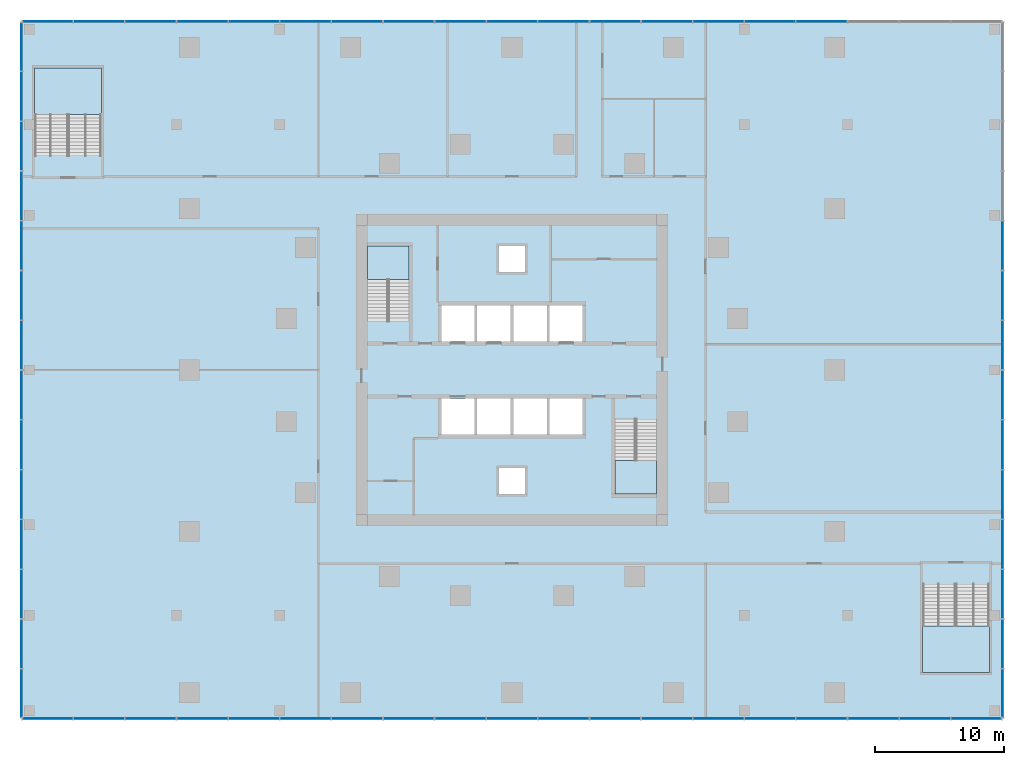
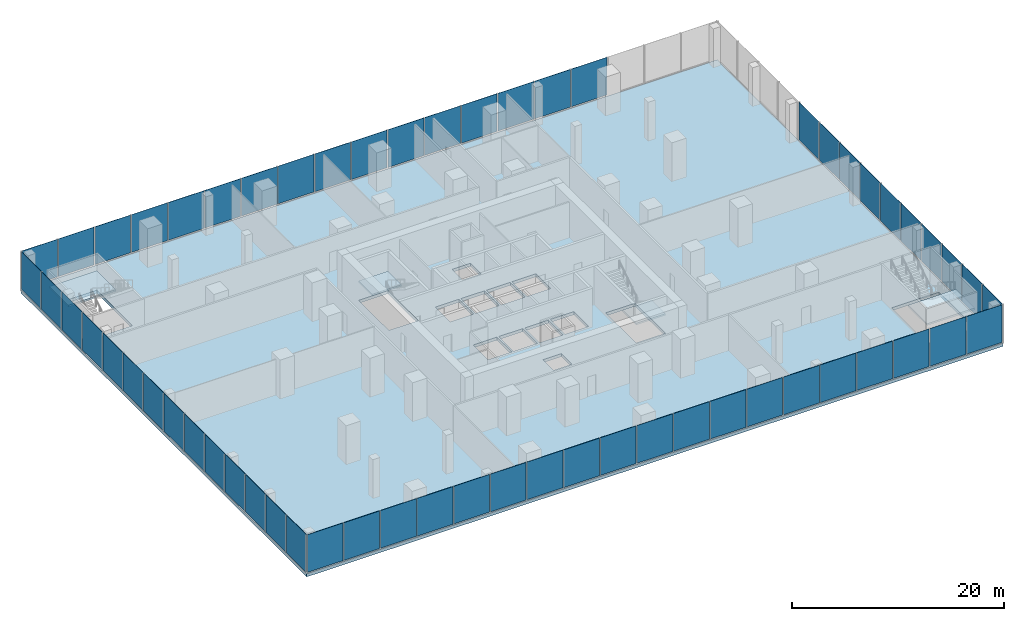
# One storey, part 8 of 15: 59 plates, 5 slabs, 8 elements without a shape of their own.
"""IFC4 building model written with IfcOpenShell, lengths in metres."""

from ifc_helpers import new_model, si_unit, direction, frame, origin, origin_2d, place, context, subcontext, project, spatial, polyline, rectangle, outline, extrude, material, layer, layer_set, type_object, element, aggregate, save


model = new_model("IFC4")

# Units and contexts
model_context = context("Model", 3, precision=1e-05, world=origin(), true_north=direction((0.0, 1.0)))
body_context = subcontext(model_context, "Body", "Model", "MODEL_VIEW")
ifc_project = project(units=[si_unit("LENGTHUNIT", "METRE"), si_unit("AREAUNIT", "SQUARE_METRE"), si_unit("VOLUMEUNIT", "CUBIC_METRE"), si_unit("PLANEANGLEUNIT", "RADIAN"), si_unit("MASSUNIT", "GRAM", prefix="KILO")], contexts=[model_context])

# Site, building, storey
site_placement = place(None, origin())
site = spatial("IfcSite", under=ifc_project, at=site_placement, CompositionType="ELEMENT")
building_placement = place(site_placement, origin())
building = spatial("IfcBuilding", under=site, at=building_placement, Name="Torsade Residences", CompositionType="ELEMENT")
storey_placement = place(building_placement, frame((0.0, 0.0, 6.0)))
storey = spatial("IfcBuildingStorey", under=building, at=storey_placement, Name="L01", CompositionType="ELEMENT", Elevation=6.0)

# Curtain wall, plates
ifc_material_1 = material(Name="Aluminium and glass", Category="aluminium")
curtain_wall_type = type_object("IfcCurtainWallType", Name="PODIUM CURTAIN WALL", PredefinedType="NOTDEFINED", material=ifc_material_1)
curtain_wall_1_placement = place(storey_placement, origin())
curtain_wall_1 = element("IfcCurtainWall", 1, at=curtain_wall_1_placement, inside=storey, type_object=curtain_wall_type, Name="Podium curtain wall L01 S", PredefinedType="NOTDEFINED")
ifc_material_2 = material(Name="Laminated glass", Category="glass")
ifc_layer_1 = layer(ifc_material_2, 0.031982421875)
ifc_layer_set_1 = layer_set([ifc_layer_1], Name="Laminated glass")
plate_type_1 = type_object("IfcPlateType", Name="FRITTED GLASS PANEL", PredefinedType="CURTAIN_PANEL", material=ifc_layer_set_1)
plate_1_placement = place(storey_placement, frame((4.0224609375, 3.0, 0.14990234375), z_axis=(0.0, 0.0, 1.0), x_axis=(1.0, 0.0, 0.0)))
plate_1 = element("IfcPlate", 2, at=plate_1_placement, type_object=plate_type_1, Name="Panel 1", PredefinedType="CURTAIN_PANEL", context=body_context, shape_type="SweptSolid", body=[
    extrude(rectangle(XDim=3.864990234375, YDim=0.031982421875, at=origin_2d()), origin(), (0.0, 0.0, 1.0), 4.35009765625),
])
plate_2_placement = place(storey_placement, frame((12.0, 3.0, 0.14990234375), z_axis=(0.0, 0.0, 1.0), x_axis=(1.0, 0.0, 0.0)))
plate_2 = element("IfcPlate", 3, at=plate_2_placement, type_object=plate_type_1, Name="Panel 3", PredefinedType="CURTAIN_PANEL", context=body_context, shape_type="SweptSolid", body=[
    extrude(rectangle(XDim=3.909912109375, YDim=0.031982421875, at=origin_2d()), origin(), (0.0, 0.0, 1.0), 4.35009765625),
])
plate_3_placement = place(storey_placement, frame((16.0, 3.0, 0.14990234375), z_axis=(0.0, 0.0, 1.0), x_axis=(1.0, 0.0, 0.0)))
plate_3 = element("IfcPlate", 4, at=plate_3_placement, type_object=plate_type_1, Name="Panel 4", PredefinedType="CURTAIN_PANEL", context=body_context, shape_type="SweptSolid", body=[
    extrude(rectangle(XDim=3.909912109375, YDim=0.031982421875, at=origin_2d()), origin(), (0.0, 0.0, 1.0), 4.35009765625),
])
plate_4_placement = place(storey_placement, frame((20.0, 3.0, 0.14990234375), z_axis=(0.0, 0.0, 1.0), x_axis=(1.0, 0.0, 0.0)))
plate_4 = element("IfcPlate", 5, at=plate_4_placement, type_object=plate_type_1, Name="Panel 5", PredefinedType="CURTAIN_PANEL", context=body_context, shape_type="SweptSolid", body=[
    extrude(rectangle(XDim=3.909912109375, YDim=0.031982421875, at=origin_2d()), origin(), (0.0, 0.0, 1.0), 4.35009765625),
])
plate_5_placement = place(storey_placement, frame((24.0, 3.0, 0.14990234375), z_axis=(0.0, 0.0, 1.0), x_axis=(1.0, 0.0, 0.0)))
plate_5 = element("IfcPlate", 6, at=plate_5_placement, type_object=plate_type_1, Name="Panel 6", PredefinedType="CURTAIN_PANEL", context=body_context, shape_type="SweptSolid", body=[
    extrude(rectangle(XDim=3.909912109375, YDim=0.031982421875, at=origin_2d()), origin(), (0.0, 0.0, 1.0), 4.35009765625),
])
plate_6_placement = place(storey_placement, frame((28.0, 3.0, 0.14990234375), z_axis=(0.0, 0.0, 1.0), x_axis=(1.0, 0.0, 0.0)))
plate_6 = element("IfcPlate", 7, at=plate_6_placement, type_object=plate_type_1, Name="Panel 7", PredefinedType="CURTAIN_PANEL", context=body_context, shape_type="SweptSolid", body=[
    extrude(rectangle(XDim=3.909912109375, YDim=0.031982421875, at=origin_2d()), origin(), (0.0, 0.0, 1.0), 4.35009765625),
])
plate_7_placement = place(storey_placement, frame((36.0, 3.0, 0.14990234375), z_axis=(0.0, 0.0, 1.0), x_axis=(1.0, 0.0, 0.0)))
plate_7 = element("IfcPlate", 8, at=plate_7_placement, type_object=plate_type_1, Name="Panel 9", PredefinedType="CURTAIN_PANEL", context=body_context, shape_type="SweptSolid", body=[
    extrude(rectangle(XDim=3.909912109375, YDim=0.031982421875, at=origin_2d()), origin(), (0.0, 0.0, 1.0), 4.35009765625),
])
plate_8_placement = place(storey_placement, frame((40.0, 3.0, 0.14990234375), z_axis=(0.0, 0.0, 1.0), x_axis=(1.0, 0.0, 0.0)))
plate_8 = element("IfcPlate", 9, at=plate_8_placement, type_object=plate_type_1, Name="Panel 10", PredefinedType="CURTAIN_PANEL", context=body_context, shape_type="SweptSolid", body=[
    extrude(rectangle(XDim=3.909912109375, YDim=0.031982421875, at=origin_2d()), origin(), (0.0, 0.0, 1.0), 4.35009765625),
])
plate_9_placement = place(storey_placement, frame((44.0, 3.0, 0.14990234375), z_axis=(0.0, 0.0, 1.0), x_axis=(1.0, 0.0, 0.0)))
plate_9 = element("IfcPlate", 10, at=plate_9_placement, type_object=plate_type_1, Name="Panel 11", PredefinedType="CURTAIN_PANEL", context=body_context, shape_type="SweptSolid", body=[
    extrude(rectangle(XDim=3.909912109375, YDim=0.031982421875, at=origin_2d()), origin(), (0.0, 0.0, 1.0), 4.35009765625),
])
plate_10_placement = place(storey_placement, frame((48.0, 3.0, 0.14990234375), z_axis=(0.0, 0.0, 1.0), x_axis=(1.0, 0.0, 0.0)))
plate_10 = element("IfcPlate", 11, at=plate_10_placement, type_object=plate_type_1, Name="Panel 12", PredefinedType="CURTAIN_PANEL", context=body_context, shape_type="SweptSolid", body=[
    extrude(rectangle(XDim=3.909912109375, YDim=0.031982421875, at=origin_2d()), origin(), (0.0, 0.0, 1.0), 4.35009765625),
])
plate_11_placement = place(storey_placement, frame((52.0, 3.0, 0.14990234375), z_axis=(0.0, 0.0, 1.0), x_axis=(1.0, 0.0, 0.0)))
plate_11 = element("IfcPlate", 12, at=plate_11_placement, type_object=plate_type_1, Name="Panel 13", PredefinedType="CURTAIN_PANEL", context=body_context, shape_type="SweptSolid", body=[
    extrude(rectangle(XDim=3.909912109375, YDim=0.031982421875, at=origin_2d()), origin(), (0.0, 0.0, 1.0), 4.35009765625),
])
plate_12_placement = place(storey_placement, frame((60.0, 3.0, 0.14990234375), z_axis=(0.0, 0.0, 1.0), x_axis=(1.0, 0.0, 0.0)))
plate_12 = element("IfcPlate", 13, at=plate_12_placement, type_object=plate_type_1, Name="Panel 15", PredefinedType="CURTAIN_PANEL", context=body_context, shape_type="SweptSolid", body=[
    extrude(rectangle(XDim=3.909912109375, YDim=0.031982421875, at=origin_2d()), origin(), (0.0, 0.0, 1.0), 4.35009765625),
])
plate_13_placement = place(storey_placement, frame((64.0, 3.0, 0.14990234375), z_axis=(0.0, 0.0, 1.0), x_axis=(1.0, 0.0, 0.0)))
plate_13 = element("IfcPlate", 14, at=plate_13_placement, type_object=plate_type_1, Name="Panel 16", PredefinedType="CURTAIN_PANEL", context=body_context, shape_type="SweptSolid", body=[
    extrude(rectangle(XDim=3.909912109375, YDim=0.031982421875, at=origin_2d()), origin(), (0.0, 0.0, 1.0), 4.35009765625),
])
plate_14_placement = place(storey_placement, frame((68.0, 3.0, 0.14990234375), z_axis=(0.0, 0.0, 1.0), x_axis=(1.0, 0.0, 0.0)))
plate_14 = element("IfcPlate", 15, at=plate_14_placement, type_object=plate_type_1, Name="Panel 17", PredefinedType="CURTAIN_PANEL", context=body_context, shape_type="SweptSolid", body=[
    extrude(rectangle(XDim=3.909912109375, YDim=0.031982421875, at=origin_2d()), origin(), (0.0, 0.0, 1.0), 4.35009765625),
])
plate_15_placement = place(storey_placement, frame((72.0, 3.0, 0.14990234375), z_axis=(0.0, 0.0, 1.0), x_axis=(1.0, 0.0, 0.0)))
plate_15 = element("IfcPlate", 16, at=plate_15_placement, type_object=plate_type_1, Name="Panel 18", PredefinedType="CURTAIN_PANEL", context=body_context, shape_type="SweptSolid", body=[
    extrude(rectangle(XDim=3.909912109375, YDim=0.031982421875, at=origin_2d()), origin(), (0.0, 0.0, 1.0), 4.35009765625),
])
plate_16_placement = place(storey_placement, frame((75.9775390625, 3.0, 0.14990234375), z_axis=(0.0, 0.0, 1.0), x_axis=(1.0, 0.0, 0.0)))
plate_16 = element("IfcPlate", 17, at=plate_16_placement, type_object=plate_type_1, Name="Panel 19", PredefinedType="CURTAIN_PANEL", context=body_context, shape_type="SweptSolid", body=[
    extrude(rectangle(XDim=3.864990234375, YDim=0.031982421875, at=origin_2d()), origin(), (0.0, 0.0, 1.0), 4.35009765625),
])

curtain_wall_2_placement = place(storey_placement, origin())
curtain_wall_2 = element("IfcCurtainWall", 18, at=curtain_wall_2_placement, inside=storey, type_object=curtain_wall_type, Name="Podium curtain wall L01 E", PredefinedType="NOTDEFINED")
plate_17_placement = place(storey_placement, frame((78.0, 4.951171875, 0.14990234375), z_axis=(0.0, 0.0, 1.0), x_axis=(0.0, 1.0, 0.0)))
plate_17 = element("IfcPlate", 19, at=plate_17_placement, type_object=plate_type_1, Name="Panel 1", PredefinedType="CURTAIN_PANEL", context=body_context, shape_type="SweptSolid", body=[
    extrude(rectangle(XDim=3.72216796875, YDim=0.031982421875, at=origin_2d()), origin(), (0.0, 0.0, 1.0), 4.35009765625),
])
plate_18_placement = place(storey_placement, frame((78.0, 12.642822265625, 0.14990234375), z_axis=(0.0, 0.0, 1.0), x_axis=(0.0, 1.0, 0.0)))
plate_18 = element("IfcPlate", 20, at=plate_18_placement, type_object=plate_type_1, Name="Panel 3", PredefinedType="CURTAIN_PANEL", context=body_context, shape_type="SweptSolid", body=[
    extrude(rectangle(XDim=3.76708984375, YDim=0.031982421875, at=origin_2d()), origin(), (0.0, 0.0, 1.0), 4.35009765625),
])
plate_19_placement = place(storey_placement, frame((78.0, 16.5, 0.14990234375), z_axis=(0.0, 0.0, 1.0), x_axis=(0.0, 1.0, 0.0)))
plate_19 = element("IfcPlate", 21, at=plate_19_placement, type_object=plate_type_1, Name="Panel 4", PredefinedType="CURTAIN_PANEL", context=body_context, shape_type="SweptSolid", body=[
    extrude(rectangle(XDim=3.76708984375, YDim=0.031982421875, at=origin_2d()), origin(), (0.0, 0.0, 1.0), 4.35009765625),
])
plate_20_placement = place(storey_placement, frame((78.0, 20.357177734375, 0.14990234375), z_axis=(0.0, 0.0, 1.0), x_axis=(0.0, 1.0, 0.0)))
plate_20 = element("IfcPlate", 22, at=plate_20_placement, type_object=plate_type_1, Name="Panel 5", PredefinedType="CURTAIN_PANEL", context=body_context, shape_type="SweptSolid", body=[
    extrude(rectangle(XDim=3.76708984375, YDim=0.031982421875, at=origin_2d()), origin(), (0.0, 0.0, 1.0), 4.35009765625),
])
plate_21_placement = place(storey_placement, frame((78.0, 24.21435546875, 0.14990234375), z_axis=(0.0, 0.0, 1.0), x_axis=(0.0, 1.0, 0.0)))
plate_21 = element("IfcPlate", 23, at=plate_21_placement, type_object=plate_type_1, Name="Panel 6", PredefinedType="CURTAIN_PANEL", context=body_context, shape_type="SweptSolid", body=[
    extrude(rectangle(XDim=3.76708984375, YDim=0.031982421875, at=origin_2d()), origin(), (0.0, 0.0, 1.0), 4.35009765625),
])
plate_22_placement = place(storey_placement, frame((78.0, 28.071533203125, 0.14990234375), z_axis=(0.0, 0.0, 1.0), x_axis=(0.0, 1.0, 0.0)))
plate_22 = element("IfcPlate", 24, at=plate_22_placement, type_object=plate_type_1, Name="Panel 7", PredefinedType="CURTAIN_PANEL", context=body_context, shape_type="SweptSolid", body=[
    extrude(rectangle(XDim=3.76708984375, YDim=0.031982421875, at=origin_2d()), origin(), (0.0, 0.0, 1.0), 4.35009765625),
])
plate_23_placement = place(storey_placement, frame((78.0, 35.78564453125, 0.14990234375), z_axis=(0.0, 0.0, 1.0), x_axis=(0.0, 1.0, 0.0)))
plate_23 = element("IfcPlate", 25, at=plate_23_placement, type_object=plate_type_1, Name="Panel 9", PredefinedType="CURTAIN_PANEL", context=body_context, shape_type="SweptSolid", body=[
    extrude(rectangle(XDim=3.76708984375, YDim=0.031982421875, at=origin_2d()), origin(), (0.0, 0.0, 1.0), 4.35009765625),
])
plate_24_placement = place(storey_placement, frame((78.0, 39.642822265625, 0.14990234375), z_axis=(0.0, 0.0, 1.0), x_axis=(0.0, 1.0, 0.0)))
plate_24 = element("IfcPlate", 26, at=plate_24_placement, type_object=plate_type_1, Name="Panel 10", PredefinedType="CURTAIN_PANEL", context=body_context, shape_type="SweptSolid", body=[
    extrude(rectangle(XDim=3.76708984375, YDim=0.031982421875, at=origin_2d()), origin(), (0.0, 0.0, 1.0), 4.35009765625),
])

curtain_wall_3_placement = place(storey_placement, origin())
curtain_wall_3 = element("IfcCurtainWall", 27, at=curtain_wall_3_placement, inside=storey, type_object=curtain_wall_type, Name="Podium curtain wall L01 N", PredefinedType="NOTDEFINED")
plate_25_placement = place(storey_placement, frame((64.0, 57.0, 0.14990234375), z_axis=(0.0, 0.0, 1.0), x_axis=(-1.0, 0.0, 0.0)))
plate_25 = element("IfcPlate", 28, at=plate_25_placement, type_object=plate_type_1, Name="Panel 4", PredefinedType="CURTAIN_PANEL", context=body_context, shape_type="SweptSolid", body=[
    extrude(rectangle(XDim=3.909912109375, YDim=0.031982421875, at=origin_2d()), origin(), (0.0, 0.0, 1.0), 4.35009765625),
])
plate_26_placement = place(storey_placement, frame((60.0, 57.0, 0.14990234375), z_axis=(0.0, 0.0, 1.0), x_axis=(-1.0, 0.0, 0.0)))
plate_26 = element("IfcPlate", 29, at=plate_26_placement, type_object=plate_type_1, Name="Panel 5", PredefinedType="CURTAIN_PANEL", context=body_context, shape_type="SweptSolid", body=[
    extrude(rectangle(XDim=3.909912109375, YDim=0.031982421875, at=origin_2d()), origin(), (0.0, 0.0, 1.0), 4.35009765625),
])
plate_27_placement = place(storey_placement, frame((56.0, 57.0, 0.14990234375), z_axis=(0.0, 0.0, 1.0), x_axis=(-1.0, 0.0, 0.0)))
plate_27 = element("IfcPlate", 30, at=plate_27_placement, type_object=plate_type_1, Name="Panel 6", PredefinedType="CURTAIN_PANEL", context=body_context, shape_type="SweptSolid", body=[
    extrude(rectangle(XDim=3.909912109375, YDim=0.031982421875, at=origin_2d()), origin(), (0.0, 0.0, 1.0), 4.35009765625),
])
plate_28_placement = place(storey_placement, frame((52.0, 57.0, 0.14990234375), z_axis=(0.0, 0.0, 1.0), x_axis=(-1.0, 0.0, 0.0)))
plate_28 = element("IfcPlate", 31, at=plate_28_placement, type_object=plate_type_1, Name="Panel 7", PredefinedType="CURTAIN_PANEL", context=body_context, shape_type="SweptSolid", body=[
    extrude(rectangle(XDim=3.909912109375, YDim=0.031982421875, at=origin_2d()), origin(), (0.0, 0.0, 1.0), 4.35009765625),
])
plate_29_placement = place(storey_placement, frame((44.0, 57.0, 0.14990234375), z_axis=(0.0, 0.0, 1.0), x_axis=(-1.0, 0.0, 0.0)))
plate_29 = element("IfcPlate", 32, at=plate_29_placement, type_object=plate_type_1, Name="Panel 9", PredefinedType="CURTAIN_PANEL", context=body_context, shape_type="SweptSolid", body=[
    extrude(rectangle(XDim=3.909912109375, YDim=0.031982421875, at=origin_2d()), origin(), (0.0, 0.0, 1.0), 4.35009765625),
])
plate_30_placement = place(storey_placement, frame((40.0, 57.0, 0.14990234375), z_axis=(0.0, 0.0, 1.0), x_axis=(-1.0, 0.0, 0.0)))
plate_30 = element("IfcPlate", 33, at=plate_30_placement, type_object=plate_type_1, Name="Panel 10", PredefinedType="CURTAIN_PANEL", context=body_context, shape_type="SweptSolid", body=[
    extrude(rectangle(XDim=3.909912109375, YDim=0.031982421875, at=origin_2d()), origin(), (0.0, 0.0, 1.0), 4.35009765625),
])
plate_31_placement = place(storey_placement, frame((36.0, 57.0, 0.14990234375), z_axis=(0.0, 0.0, 1.0), x_axis=(-1.0, 0.0, 0.0)))
plate_31 = element("IfcPlate", 34, at=plate_31_placement, type_object=plate_type_1, Name="Panel 11", PredefinedType="CURTAIN_PANEL", context=body_context, shape_type="SweptSolid", body=[
    extrude(rectangle(XDim=3.909912109375, YDim=0.031982421875, at=origin_2d()), origin(), (0.0, 0.0, 1.0), 4.35009765625),
])
plate_32_placement = place(storey_placement, frame((32.0, 57.0, 0.14990234375), z_axis=(0.0, 0.0, 1.0), x_axis=(-1.0, 0.0, 0.0)))
plate_32 = element("IfcPlate", 35, at=plate_32_placement, type_object=plate_type_1, Name="Panel 12", PredefinedType="CURTAIN_PANEL", context=body_context, shape_type="SweptSolid", body=[
    extrude(rectangle(XDim=3.909912109375, YDim=0.031982421875, at=origin_2d()), origin(), (0.0, 0.0, 1.0), 4.35009765625),
])
plate_33_placement = place(storey_placement, frame((28.0, 57.0, 0.14990234375), z_axis=(0.0, 0.0, 1.0), x_axis=(-1.0, 0.0, 0.0)))
plate_33 = element("IfcPlate", 36, at=plate_33_placement, type_object=plate_type_1, Name="Panel 13", PredefinedType="CURTAIN_PANEL", context=body_context, shape_type="SweptSolid", body=[
    extrude(rectangle(XDim=3.909912109375, YDim=0.031982421875, at=origin_2d()), origin(), (0.0, 0.0, 1.0), 4.35009765625),
])
plate_34_placement = place(storey_placement, frame((20.0, 57.0, 0.14990234375), z_axis=(0.0, 0.0, 1.0), x_axis=(-1.0, 0.0, 0.0)))
plate_34 = element("IfcPlate", 37, at=plate_34_placement, type_object=plate_type_1, Name="Panel 15", PredefinedType="CURTAIN_PANEL", context=body_context, shape_type="SweptSolid", body=[
    extrude(rectangle(XDim=3.909912109375, YDim=0.031982421875, at=origin_2d()), origin(), (0.0, 0.0, 1.0), 4.35009765625),
])
plate_35_placement = place(storey_placement, frame((16.0, 57.0, 0.14990234375), z_axis=(0.0, 0.0, 1.0), x_axis=(-1.0, 0.0, 0.0)))
plate_35 = element("IfcPlate", 38, at=plate_35_placement, type_object=plate_type_1, Name="Panel 16", PredefinedType="CURTAIN_PANEL", context=body_context, shape_type="SweptSolid", body=[
    extrude(rectangle(XDim=3.909912109375, YDim=0.031982421875, at=origin_2d()), origin(), (0.0, 0.0, 1.0), 4.35009765625),
])
plate_36_placement = place(storey_placement, frame((12.0, 57.0, 0.14990234375), z_axis=(0.0, 0.0, 1.0), x_axis=(-1.0, 0.0, 0.0)))
plate_36 = element("IfcPlate", 39, at=plate_36_placement, type_object=plate_type_1, Name="Panel 17", PredefinedType="CURTAIN_PANEL", context=body_context, shape_type="SweptSolid", body=[
    extrude(rectangle(XDim=3.909912109375, YDim=0.031982421875, at=origin_2d()), origin(), (0.0, 0.0, 1.0), 4.35009765625),
])
plate_37_placement = place(storey_placement, frame((8.0, 57.0, 0.14990234375), z_axis=(0.0, 0.0, 1.0), x_axis=(-1.0, 0.0, 0.0)))
plate_37 = element("IfcPlate", 40, at=plate_37_placement, type_object=plate_type_1, Name="Panel 18", PredefinedType="CURTAIN_PANEL", context=body_context, shape_type="SweptSolid", body=[
    extrude(rectangle(XDim=3.909912109375, YDim=0.031982421875, at=origin_2d()), origin(), (0.0, 0.0, 1.0), 4.35009765625),
])
plate_38_placement = place(storey_placement, frame((4.0224609375, 57.0, 0.14990234375), z_axis=(0.0, 0.0, 1.0), x_axis=(-1.0, 0.0, 0.0)))
plate_38 = element("IfcPlate", 41, at=plate_38_placement, type_object=plate_type_1, Name="Panel 19", PredefinedType="CURTAIN_PANEL", context=body_context, shape_type="SweptSolid", body=[
    extrude(rectangle(XDim=3.864990234375, YDim=0.031982421875, at=origin_2d()), origin(), (0.0, 0.0, 1.0), 4.35009765625),
])

curtain_wall_4_placement = place(storey_placement, origin())
curtain_wall_4 = element("IfcCurtainWall", 42, at=curtain_wall_4_placement, inside=storey, type_object=curtain_wall_type, Name="Podium curtain wall L01 W", PredefinedType="NOTDEFINED")
plate_39_placement = place(storey_placement, frame((2.0, 55.048828125, 0.14990234375), z_axis=(0.0, 0.0, 1.0), x_axis=(0.0, -1.0, 0.0)))
plate_39 = element("IfcPlate", 43, at=plate_39_placement, type_object=plate_type_1, Name="Panel 1", PredefinedType="CURTAIN_PANEL", context=body_context, shape_type="SweptSolid", body=[
    extrude(rectangle(XDim=3.72216796875, YDim=0.031982421875, at=origin_2d()), origin(), (0.0, 0.0, 1.0), 4.35009765625),
])
plate_40_placement = place(storey_placement, frame((2.0, 47.357177734375, 0.14990234375), z_axis=(0.0, 0.0, 1.0), x_axis=(0.0, -1.0, 0.0)))
plate_40 = element("IfcPlate", 44, at=plate_40_placement, type_object=plate_type_1, Name="Panel 3", PredefinedType="CURTAIN_PANEL", context=body_context, shape_type="SweptSolid", body=[
    extrude(rectangle(XDim=3.76708984375, YDim=0.031982421875, at=origin_2d()), origin(), (0.0, 0.0, 1.0), 4.35009765625),
])
plate_41_placement = place(storey_placement, frame((2.0, 43.5, 0.14990234375), z_axis=(0.0, 0.0, 1.0), x_axis=(0.0, -1.0, 0.0)))
plate_41 = element("IfcPlate", 45, at=plate_41_placement, type_object=plate_type_1, Name="Panel 4", PredefinedType="CURTAIN_PANEL", context=body_context, shape_type="SweptSolid", body=[
    extrude(rectangle(XDim=3.76708984375, YDim=0.031982421875, at=origin_2d()), origin(), (0.0, 0.0, 1.0), 4.35009765625),
])
plate_42_placement = place(storey_placement, frame((2.0, 39.642822265625, 0.14990234375), z_axis=(0.0, 0.0, 1.0), x_axis=(0.0, -1.0, 0.0)))
plate_42 = element("IfcPlate", 46, at=plate_42_placement, type_object=plate_type_1, Name="Panel 5", PredefinedType="CURTAIN_PANEL", context=body_context, shape_type="SweptSolid", body=[
    extrude(rectangle(XDim=3.76708984375, YDim=0.031982421875, at=origin_2d()), origin(), (0.0, 0.0, 1.0), 4.35009765625),
])
plate_43_placement = place(storey_placement, frame((2.0, 35.78564453125, 0.14990234375), z_axis=(0.0, 0.0, 1.0), x_axis=(0.0, -1.0, 0.0)))
plate_43 = element("IfcPlate", 47, at=plate_43_placement, type_object=plate_type_1, Name="Panel 6", PredefinedType="CURTAIN_PANEL", context=body_context, shape_type="SweptSolid", body=[
    extrude(rectangle(XDim=3.76708984375, YDim=0.031982421875, at=origin_2d()), origin(), (0.0, 0.0, 1.0), 4.35009765625),
])
plate_44_placement = place(storey_placement, frame((2.0, 31.928466796875, 0.14990234375), z_axis=(0.0, 0.0, 1.0), x_axis=(0.0, -1.0, 0.0)))
plate_44 = element("IfcPlate", 48, at=plate_44_placement, type_object=plate_type_1, Name="Panel 7", PredefinedType="CURTAIN_PANEL", context=body_context, shape_type="SweptSolid", body=[
    extrude(rectangle(XDim=3.76708984375, YDim=0.031982421875, at=origin_2d()), origin(), (0.0, 0.0, 1.0), 4.35009765625),
])
plate_45_placement = place(storey_placement, frame((2.0, 24.21435546875, 0.14990234375), z_axis=(0.0, 0.0, 1.0), x_axis=(0.0, -1.0, 0.0)))
plate_45 = element("IfcPlate", 49, at=plate_45_placement, type_object=plate_type_1, Name="Panel 9", PredefinedType="CURTAIN_PANEL", context=body_context, shape_type="SweptSolid", body=[
    extrude(rectangle(XDim=3.76708984375, YDim=0.031982421875, at=origin_2d()), origin(), (0.0, 0.0, 1.0), 4.35009765625),
])
plate_46_placement = place(storey_placement, frame((2.0, 20.357177734375, 0.14990234375), z_axis=(0.0, 0.0, 1.0), x_axis=(0.0, -1.0, 0.0)))
plate_46 = element("IfcPlate", 50, at=plate_46_placement, type_object=plate_type_1, Name="Panel 10", PredefinedType="CURTAIN_PANEL", context=body_context, shape_type="SweptSolid", body=[
    extrude(rectangle(XDim=3.76708984375, YDim=0.031982421875, at=origin_2d()), origin(), (0.0, 0.0, 1.0), 4.35009765625),
])
plate_47_placement = place(storey_placement, frame((2.0, 16.5, 0.14990234375), z_axis=(0.0, 0.0, 1.0), x_axis=(0.0, -1.0, 0.0)))
plate_47 = element("IfcPlate", 51, at=plate_47_placement, type_object=plate_type_1, Name="Panel 11", PredefinedType="CURTAIN_PANEL", context=body_context, shape_type="SweptSolid", body=[
    extrude(rectangle(XDim=3.76708984375, YDim=0.031982421875, at=origin_2d()), origin(), (0.0, 0.0, 1.0), 4.35009765625),
])
plate_48_placement = place(storey_placement, frame((2.0, 12.642822265625, 0.14990234375), z_axis=(0.0, 0.0, 1.0), x_axis=(0.0, -1.0, 0.0)))
plate_48 = element("IfcPlate", 52, at=plate_48_placement, type_object=plate_type_1, Name="Panel 12", PredefinedType="CURTAIN_PANEL", context=body_context, shape_type="SweptSolid", body=[
    extrude(rectangle(XDim=3.76708984375, YDim=0.031982421875, at=origin_2d()), origin(), (0.0, 0.0, 1.0), 4.35009765625),
])
plate_49_placement = place(storey_placement, frame((2.0, 8.78564453125, 0.14990234375), z_axis=(0.0, 0.0, 1.0), x_axis=(0.0, -1.0, 0.0)))
plate_49 = element("IfcPlate", 53, at=plate_49_placement, type_object=plate_type_1, Name="Panel 13", PredefinedType="CURTAIN_PANEL", context=body_context, shape_type="SweptSolid", body=[
    extrude(rectangle(XDim=3.76708984375, YDim=0.031982421875, at=origin_2d()), origin(), (0.0, 0.0, 1.0), 4.35009765625),
])

# Plate
ifc_material_3 = material(Name="Laminated glass", Category="glass")
ifc_layer_2 = layer(ifc_material_3, 0.0400390625)
ifc_layer_set_2 = layer_set([ifc_layer_2], Name="Laminated glass")
plate_type_2 = type_object("IfcPlateType", Name="OPERABLE VENT PANEL", PredefinedType="CURTAIN_PANEL", material=ifc_layer_set_2)
plate_50_placement = place(storey_placement, frame((8.0, 3.0, 0.14990234375), z_axis=(0.0, 0.0, 1.0), x_axis=(1.0, 0.0, 0.0)))
plate_50 = element("IfcPlate", 54, at=plate_50_placement, type_object=plate_type_2, Name="Panel 2", PredefinedType="CURTAIN_PANEL", context=body_context, shape_type="SweptSolid", body=[
    extrude(rectangle(XDim=3.909912109375, YDim=0.0400390625, at=origin_2d()), origin(), (0.0, 0.0, 1.0), 4.35009765625),
])

plate_51_placement = place(storey_placement, frame((32.0, 3.0, 0.14990234375), z_axis=(0.0, 0.0, 1.0), x_axis=(1.0, 0.0, 0.0)))
plate_51 = element("IfcPlate", 55, at=plate_51_placement, type_object=plate_type_2, Name="Panel 8", PredefinedType="CURTAIN_PANEL", context=body_context, shape_type="SweptSolid", body=[
    extrude(rectangle(XDim=3.909912109375, YDim=0.0400390625, at=origin_2d()), origin(), (0.0, 0.0, 1.0), 4.35009765625),
])

plate_52_placement = place(storey_placement, frame((56.0, 3.0, 0.14990234375), z_axis=(0.0, 0.0, 1.0), x_axis=(1.0, 0.0, 0.0)))
plate_52 = element("IfcPlate", 56, at=plate_52_placement, type_object=plate_type_2, Name="Panel 14", PredefinedType="CURTAIN_PANEL", context=body_context, shape_type="SweptSolid", body=[
    extrude(rectangle(XDim=3.909912109375, YDim=0.0400390625, at=origin_2d()), origin(), (0.0, 0.0, 1.0), 4.35009765625),
])

aggregate(curtain_wall_1, [plate_1, plate_50, plate_2, plate_3, plate_4, plate_5, plate_6, plate_51, plate_7, plate_8, plate_9, plate_10, plate_11, plate_52, plate_12, plate_13, plate_14, plate_15, plate_16])

plate_53_placement = place(storey_placement, frame((78.0, 8.78564453125, 0.14990234375), z_axis=(0.0, 0.0, 1.0), x_axis=(0.0, 1.0, 0.0)))
plate_53 = element("IfcPlate", 57, at=plate_53_placement, type_object=plate_type_2, Name="Panel 2", PredefinedType="CURTAIN_PANEL", context=body_context, shape_type="SweptSolid", body=[
    extrude(rectangle(XDim=3.76708984375, YDim=0.0400390625, at=origin_2d()), origin(), (0.0, 0.0, 1.0), 4.35009765625),
])

plate_54_placement = place(storey_placement, frame((78.0, 31.928466796875, 0.14990234375), z_axis=(0.0, 0.0, 1.0), x_axis=(0.0, 1.0, 0.0)))
plate_54 = element("IfcPlate", 58, at=plate_54_placement, type_object=plate_type_2, Name="Panel 8", PredefinedType="CURTAIN_PANEL", context=body_context, shape_type="SweptSolid", body=[
    extrude(rectangle(XDim=3.76708984375, YDim=0.0400390625, at=origin_2d()), origin(), (0.0, 0.0, 1.0), 4.35009765625),
])

aggregate(curtain_wall_2, [plate_17, plate_53, plate_18, plate_19, plate_20, plate_21, plate_22, plate_54, plate_23, plate_24])

plate_55_placement = place(storey_placement, frame((48.0, 57.0, 0.14990234375), z_axis=(0.0, 0.0, 1.0), x_axis=(-1.0, 0.0, 0.0)))
plate_55 = element("IfcPlate", 59, at=plate_55_placement, type_object=plate_type_2, Name="Panel 8", PredefinedType="CURTAIN_PANEL", context=body_context, shape_type="SweptSolid", body=[
    extrude(rectangle(XDim=3.909912109375, YDim=0.0400390625, at=origin_2d()), origin(), (0.0, 0.0, 1.0), 4.35009765625),
])

plate_56_placement = place(storey_placement, frame((24.0, 57.0, 0.14990234375), z_axis=(0.0, 0.0, 1.0), x_axis=(-1.0, 0.0, 0.0)))
plate_56 = element("IfcPlate", 60, at=plate_56_placement, type_object=plate_type_2, Name="Panel 14", PredefinedType="CURTAIN_PANEL", context=body_context, shape_type="SweptSolid", body=[
    extrude(rectangle(XDim=3.909912109375, YDim=0.0400390625, at=origin_2d()), origin(), (0.0, 0.0, 1.0), 4.35009765625),
])

aggregate(curtain_wall_3, [plate_25, plate_26, plate_27, plate_28, plate_55, plate_29, plate_30, plate_31, plate_32, plate_33, plate_56, plate_34, plate_35, plate_36, plate_37, plate_38])

plate_57_placement = place(storey_placement, frame((2.0, 51.21435546875, 0.14990234375), z_axis=(0.0, 0.0, 1.0), x_axis=(0.0, -1.0, 0.0)))
plate_57 = element("IfcPlate", 61, at=plate_57_placement, type_object=plate_type_2, Name="Panel 2", PredefinedType="CURTAIN_PANEL", context=body_context, shape_type="SweptSolid", body=[
    extrude(rectangle(XDim=3.76708984375, YDim=0.0400390625, at=origin_2d()), origin(), (0.0, 0.0, 1.0), 4.35009765625),
])

plate_58_placement = place(storey_placement, frame((2.0, 28.071533203125, 0.14990234375), z_axis=(0.0, 0.0, 1.0), x_axis=(0.0, -1.0, 0.0)))
plate_58 = element("IfcPlate", 62, at=plate_58_placement, type_object=plate_type_2, Name="Panel 8", PredefinedType="CURTAIN_PANEL", context=body_context, shape_type="SweptSolid", body=[
    extrude(rectangle(XDim=3.76708984375, YDim=0.0400390625, at=origin_2d()), origin(), (0.0, 0.0, 1.0), 4.35009765625),
])

plate_59_placement = place(storey_placement, frame((2.0, 4.951171875, 0.14990234375), z_axis=(0.0, 0.0, 1.0), x_axis=(0.0, -1.0, 0.0)))
plate_59 = element("IfcPlate", 63, at=plate_59_placement, type_object=plate_type_2, Name="Panel 14", PredefinedType="CURTAIN_PANEL", context=body_context, shape_type="SweptSolid", body=[
    extrude(rectangle(XDim=3.72216796875, YDim=0.0400390625, at=origin_2d()), origin(), (0.0, 0.0, 1.0), 4.35009765625),
])

aggregate(curtain_wall_4, [plate_39, plate_57, plate_40, plate_41, plate_42, plate_43, plate_44, plate_58, plate_45, plate_46, plate_47, plate_48, plate_49, plate_59])

# Slab
ifc_material_4 = material(Name="Concrete 40 MPa", Category="concrete")
ifc_layer_3 = layer(ifc_material_4, 0.35009765625)
ifc_layer_set_3 = layer_set([ifc_layer_3], Name="Concrete 40 MPa")
slab_type_1 = type_object("IfcSlabType", Name="PODIUM FLAT SLAB 350", PredefinedType="FLOOR", material=ifc_layer_set_3)
slab_1_placement = place(storey_placement, frame((0.0, 0.0, -0.35009765625)))
element("IfcSlab", 64, at=slab_1_placement, inside=storey, type_object=slab_type_1, Name="Floor slab L01", PredefinedType="FLOOR", context=body_context, shape_type="SweptSolid", body=[
    extrude(outline(polyline([(78.0, 3.0), (78.0, 57.0), (2.0, 57.0), (2.0, 3.0), (78.0, 3.0)]), holes=[polyline([(28.800048828125, 33.8798828125), (32.0, 33.8798828125), (32.0, 39.60009765625), (28.800048828125, 39.60009765625), (28.800048828125, 33.8798828125)]), polyline([(48.0, 20.39990234375), (51.199951171875, 20.39990234375), (51.199951171875, 26.1201171875), (48.0, 26.1201171875), (48.0, 20.39990234375)]), polyline([(3.0, 46.679931640625), (8.199951171875, 46.679931640625), (8.199951171875, 53.419921875), (3.0, 53.419921875), (3.0, 46.679931640625)]), polyline([(71.800048828125, 6.580078125), (77.0, 6.580078125), (77.0, 13.320068359375), (71.800048828125, 13.320068359375), (71.800048828125, 6.580078125)]), polyline([(34.5, 32.199951171875), (37.10009765625, 32.199951171875), (37.10009765625, 35.0), (34.5, 35.0), (34.5, 32.199951171875)]), polyline([(42.89990234375, 25.0), (45.5, 25.0), (45.5, 27.800048828125), (42.89990234375, 27.800048828125), (42.89990234375, 25.0)]), polyline([(37.300048828125, 32.199951171875), (39.89990234375, 32.199951171875), (39.89990234375, 35.0), (37.300048828125, 35.0), (37.300048828125, 32.199951171875)]), polyline([(40.10009765625, 25.0), (42.699951171875, 25.0), (42.699951171875, 27.800048828125), (40.10009765625, 27.800048828125), (40.10009765625, 25.0)]), polyline([(40.10009765625, 32.199951171875), (42.699951171875, 32.199951171875), (42.699951171875, 35.0), (40.10009765625, 35.0), (40.10009765625, 32.199951171875)]), polyline([(37.300048828125, 25.0), (39.89990234375, 25.0), (39.89990234375, 27.800048828125), (37.300048828125, 27.800048828125), (37.300048828125, 25.0)]), polyline([(42.89990234375, 32.199951171875), (45.5, 32.199951171875), (45.5, 35.0), (42.89990234375, 35.0), (42.89990234375, 32.199951171875)]), polyline([(34.5, 25.0), (37.10009765625, 25.0), (37.10009765625, 27.800048828125), (34.5, 27.800048828125), (34.5, 25.0)]), polyline([(39.0, 37.60009765625), (41.0, 37.60009765625), (41.0, 39.60009765625), (39.0, 39.60009765625), (39.0, 37.60009765625)]), polyline([(39.0, 20.39990234375), (41.0, 20.39990234375), (41.0, 22.39990234375), (39.0, 22.39990234375), (39.0, 20.39990234375)])]), origin(), (0.0, 0.0, 1.0), 0.35009765625),
])

# Stair, slab
ifc_material_5 = material(Name="Precast concrete 40 MPa", Category="concrete")
stair_type_1 = type_object("IfcStairType", Name="HALF-TURN FIRE STAIR 1500x4500", PredefinedType="HALF_TURN_STAIR", material=ifc_material_5)
stair_1_placement = place(storey_placement, origin())
stair_1 = element("IfcStair", 65, at=stair_1_placement, inside=storey, type_object=stair_type_1, Name="Stair ST1 L01", PredefinedType="HALF_TURN_STAIR")
ifc_material_6 = material(Name="Precast concrete 40 MPa", Category="concrete")
ifc_layer_4 = layer(ifc_material_6, 0.179931640625)
ifc_layer_set_4 = layer_set([ifc_layer_4], Name="Precast concrete 40 MPa")
slab_type_2 = type_object("IfcSlabType", Name="PRECAST STAIR LANDING 180", PredefinedType="LANDING", material=ifc_layer_set_4)
slab_2_placement = place(storey_placement, frame((0.0, 0.0, 2.070068359375)))
slab_2 = element("IfcSlab", 66, at=slab_2_placement, type_object=slab_type_2, Name="ST1 landing 1", PredefinedType="LANDING", context=body_context, shape_type="SweptSolid", body=[
    extrude(outline(polyline([(28.800048828125, 37.02001953125), (32.0, 37.02001953125), (32.0, 39.60009765625), (28.800048828125, 39.60009765625), (28.800048828125, 37.02001953125)])), origin(), (0.0, 0.0, 1.0), 0.179931640625),
])
aggregate(stair_1, [slab_2])

stair_2_placement = place(storey_placement, origin())
stair_2 = element("IfcStair", 67, at=stair_2_placement, inside=storey, type_object=stair_type_1, Name="Stair ST2 L01", PredefinedType="HALF_TURN_STAIR")
slab_3_placement = place(storey_placement, frame((0.0, 0.0, 2.070068359375)))
slab_3 = element("IfcSlab", 68, at=slab_3_placement, type_object=slab_type_2, Name="ST2 landing 1", PredefinedType="LANDING", context=body_context, shape_type="SweptSolid", body=[
    extrude(outline(polyline([(48.0, 20.39990234375), (51.199951171875, 20.39990234375), (51.199951171875, 22.97998046875), (48.0, 22.97998046875), (48.0, 20.39990234375)])), origin(), (0.0, 0.0, 1.0), 0.179931640625),
])
aggregate(stair_2, [slab_3])

ifc_material_7 = material(Name="Concrete 40 MPa", Category="concrete")
stair_type_2 = type_object("IfcStairType", Name="HALF-TURN PODIUM STAIR 2500x4500", PredefinedType="HALF_TURN_STAIR", material=ifc_material_7)
stair_3_placement = place(storey_placement, origin())
stair_3 = element("IfcStair", 69, at=stair_3_placement, inside=storey, type_object=stair_type_2, Name="Stair ST3 L01", PredefinedType="HALF_TURN_STAIR")
ifc_material_8 = material(Name="Concrete 40 MPa", Category="concrete")
ifc_layer_5 = layer(ifc_material_8, 0.199951171875)
ifc_layer_set_5 = layer_set([ifc_layer_5], Name="Concrete 40 MPa")
slab_type_3 = type_object("IfcSlabType", Name="STAIR LANDING 200", PredefinedType="LANDING", material=ifc_layer_set_5)
slab_4_placement = place(storey_placement, frame((0.0, 0.0, 2.050048828125)))
slab_4 = element("IfcSlab", 70, at=slab_4_placement, type_object=slab_type_3, Name="ST3 landing 1", PredefinedType="LANDING", context=body_context, shape_type="SweptSolid", body=[
    extrude(outline(polyline([(3.0, 49.820068359375), (8.199951171875, 49.820068359375), (8.199951171875, 53.419921875), (3.0, 53.419921875), (3.0, 49.820068359375)])), origin(), (0.0, 0.0, 1.0), 0.199951171875),
])
aggregate(stair_3, [slab_4])

stair_4_placement = place(storey_placement, origin())
stair_4 = element("IfcStair", 71, at=stair_4_placement, inside=storey, type_object=stair_type_2, Name="Stair ST4 L01", PredefinedType="HALF_TURN_STAIR")
slab_5_placement = place(storey_placement, frame((0.0, 0.0, 2.050048828125)))
slab_5 = element("IfcSlab", 72, at=slab_5_placement, type_object=slab_type_3, Name="ST4 landing 1", PredefinedType="LANDING", context=body_context, shape_type="SweptSolid", body=[
    extrude(outline(polyline([(71.800048828125, 6.580078125), (77.0, 6.580078125), (77.0, 10.179931640625), (71.800048828125, 10.179931640625), (71.800048828125, 6.580078125)])), origin(), (0.0, 0.0, 1.0), 0.199951171875),
])
aggregate(stair_4, [slab_5])

save(model, "model.ifc")
